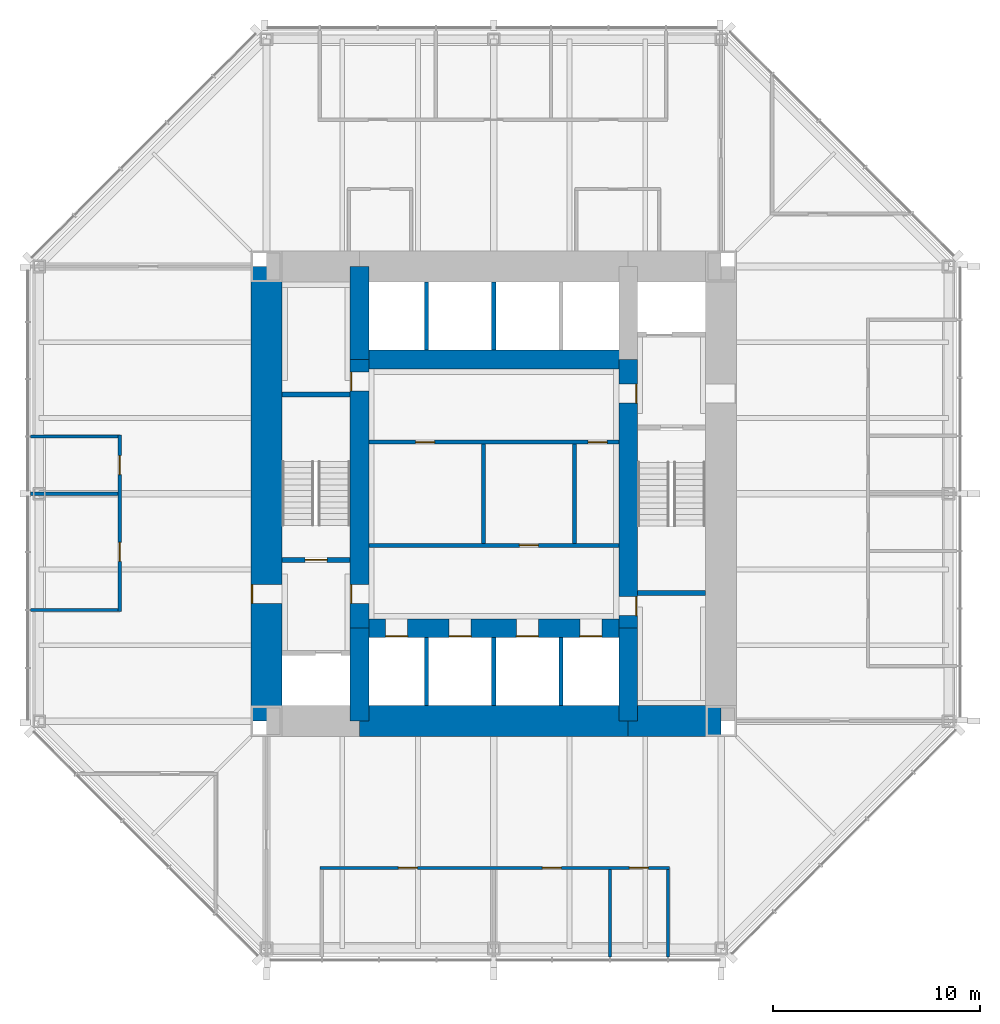
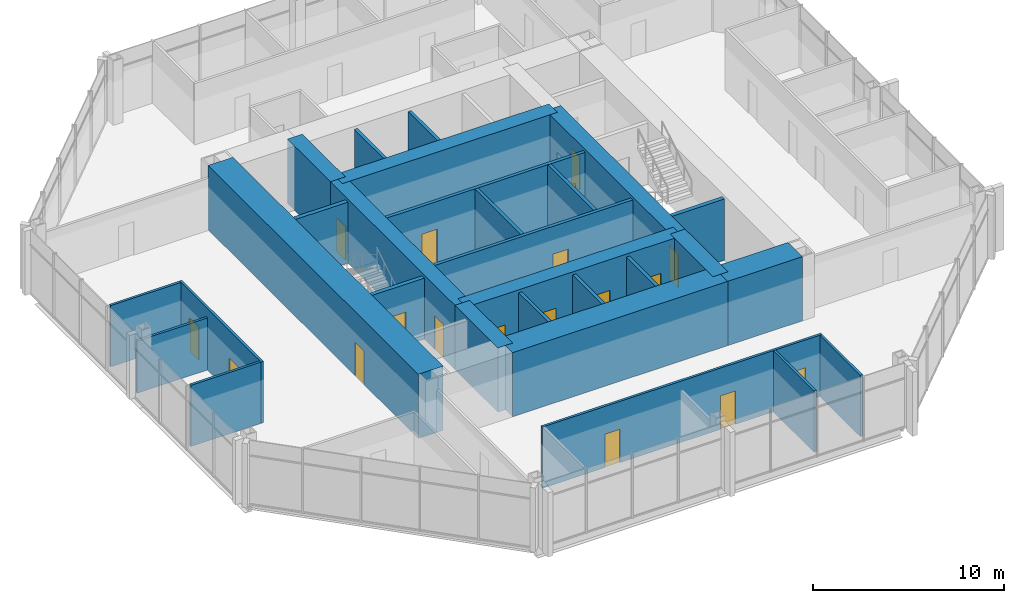
# One storey, part 9 of 12: 29 walls, 18 doors, 18 openings.
"""IFC4 building model written with IfcOpenShell, lengths in metres."""

from ifc_helpers import new_model, si_unit, direction, frame, frame_2d, origin, place, context, subcontext, project, spatial, rectangle, extrude, material, layer, layer_set, type_object, element, fill, save


model = new_model("IFC4")

# Units and contexts
model_context = context("Model", 3, precision=1e-05, world=origin(), true_north=direction((0.0, 1.0)))
body_context = subcontext(model_context, "Body", "Model", "MODEL_VIEW")
ifc_project = project(units=[si_unit("LENGTHUNIT", "METRE"), si_unit("AREAUNIT", "SQUARE_METRE"), si_unit("VOLUMEUNIT", "CUBIC_METRE"), si_unit("PLANEANGLEUNIT", "RADIAN"), si_unit("MASSUNIT", "GRAM", prefix="KILO")], contexts=[model_context])

# Site, building, storey
site_placement = place(None, origin())
site = spatial("IfcSite", under=ifc_project, at=site_placement, CompositionType="ELEMENT")
building_placement = place(site_placement, origin())
building = spatial("IfcBuilding", under=site, at=building_placement, Name="Trevanion Tower", CompositionType="ELEMENT")
storey_placement = place(building_placement, frame((0.0, 0.0, 154.10009765625)))
storey = spatial("IfcBuildingStorey", under=building, at=storey_placement, Name="L36", CompositionType="ELEMENT", Elevation=154.10009765625)

# Wall, opening, door
ifc_material_1 = material(Name="Concrete 10,000 psi", Category="concrete")
ifc_layer_1 = layer(ifc_material_1, 1.5)
ifc_layer_set_1 = layer_set([ifc_layer_1], Name="CW1 core wall 1500")
wall_type_1 = type_object("IfcWallType", Name="CW1 core wall 1500", PredefinedType="SHEAR", material=ifc_layer_set_1)
wall_1_placement = place(storey_placement, frame((-11.0, 11.0, 0.0), z_axis=(0.0, 0.0, 1.0), x_axis=(0.0, -1.0, 0.0)))
wall_1 = element("IfcWall", 1, at=wall_1_placement, inside=storey, type_object=wall_type_1, Name="CW1 CW L36", PredefinedType="SHEAR", context=body_context, shape_type="SweptSolid", body=[
    extrude(rectangle(XDim=22.0, YDim=1.5, at=frame_2d((11.0, 0.0))), origin(), (0.0, 0.0, 1.0), 4.099853515625),
])
opening_1_placement = place(wall_1_placement, frame((15.392578125, 0.0, 0.0)))
opening_1 = element("IfcOpeningElement", 2, at=opening_1_placement, cuts=wall_1, Name="Opening 36-002", PredefinedType="OPENING", context=body_context, shape_type="SweptSolid", body=[
    extrude(rectangle(XDim=0.9150390625, YDim=2.134033203125, at=frame_2d((0.45751953125, 1.06689453125))), frame((0.0, 0.760009765625, 0.0), z_axis=(0.0, -1.0, 0.0), x_axis=(1.0, 0.0, 0.0)), (0.0, 0.0, 1.0), 1.52001953125),
])
ifc_material_2 = material(Name="Hollow metal, fire rated", Category="steel")
door_type_1 = type_object("IfcDoorType", Name="D3 fire lift lobby door", OperationType="SINGLE_SWING_RIGHT", PredefinedType="DOOR", material=ifc_material_2)
door_1_placement = place(opening_1_placement, origin())
door_1 = element("IfcDoor", 3, at=door_1_placement, inside=storey, type_object=door_type_1, Name="Door 36-002", OperationType="SINGLE_SWING_RIGHT", OverallHeight=2.134033203125, OverallWidth=0.9150390625, PredefinedType="DOOR", context=body_context, shape_type="SweptSolid", body=[
    extrude(rectangle(XDim=0.9150390625, YDim=2.134033203125, at=frame_2d((0.45751953125, 1.06689453125))), frame((0.0, -0.6748046875, 0.0), z_axis=(0.0, -1.0, 0.0), x_axis=(1.0, 0.0, 0.0)), (0.0, 0.0, 1.0), 0.050048828125),
])
fill(opening_1, door_1)

# Walls
wall_2_placement = place(storey_placement, frame((-6.5, -11.0, 0.0), z_axis=(0.0, 0.0, 1.0), x_axis=(1.0, 0.0, 0.0)))
element("IfcWall", 4, at=wall_2_placement, inside=storey, type_object=wall_type_1, Name="CW1 CS2 L36", PredefinedType="SHEAR", context=body_context, shape_type="SweptSolid", body=[
    extrude(rectangle(XDim=13.0, YDim=1.5, at=frame_2d((6.5, 0.0))), origin(), (0.0, 0.0, 1.0), 4.099853515625),
])
wall_3_placement = place(storey_placement, frame((6.5, -11.0, 0.0), z_axis=(0.0, 0.0, 1.0), x_axis=(1.0, 0.0, 0.0)))
element("IfcWall", 5, at=wall_3_placement, inside=storey, type_object=wall_type_1, Name="CW1 CS3 L36", PredefinedType="SHEAR", context=body_context, shape_type="SweptSolid", body=[
    extrude(rectangle(XDim=4.5, YDim=1.5, at=frame_2d((2.25, 0.0))), origin(), (0.0, 0.0, 1.0), 4.099853515625),
])
ifc_material_3 = material(Name="Concrete 10,000 psi", Category="concrete")
ifc_layer_2 = layer(ifc_material_3, 0.89990234375)
ifc_layer_set_2 = layer_set([ifc_layer_2], Name="CW2 core wall 900")
wall_type_2 = type_object("IfcWallType", Name="CW2 core wall 900", PredefinedType="SHEAR", material=ifc_layer_set_2)
wall_4_placement = place(storey_placement, frame((6.5, -11.0, 0.0), z_axis=(0.0, 0.0, 1.0), x_axis=(0.0, 1.0, 0.0)))
element("IfcWall", 6, at=wall_4_placement, inside=storey, type_object=wall_type_2, Name="CW2 RE1 L36", PredefinedType="SHEAR", context=body_context, shape_type="SweptSolid", body=[
    extrude(rectangle(XDim=4.5, YDim=0.89990234375, at=frame_2d((2.25, 0.0))), origin(), (0.0, 0.0, 1.0), 4.099853515625),
])

# Wall, openings, doors
wall_5_placement = place(storey_placement, frame((6.5, -6.5, 0.0), z_axis=(0.0, 0.0, 1.0), x_axis=(0.0, 1.0, 0.0)))
wall_5 = element("IfcWall", 7, at=wall_5_placement, inside=storey, type_object=wall_type_2, Name="CW2 RE2 L36", PredefinedType="SHEAR", context=body_context, shape_type="SweptSolid", body=[
    extrude(rectangle(XDim=13.0, YDim=0.89990234375, at=frame_2d((6.5, 0.0))), origin(), (0.0, 0.0, 1.0), 4.099853515625),
])
opening_2_placement = place(wall_5_placement, frame((10.892578125, 0.0, 0.0)))
opening_2 = element("IfcOpeningElement", 8, at=opening_2_placement, cuts=wall_5, Name="Opening 36-003", PredefinedType="OPENING", context=body_context, shape_type="SweptSolid", body=[
    extrude(rectangle(XDim=0.9150390625, YDim=2.134033203125, at=frame_2d((0.45751953125, 1.06689453125))), frame((0.0, 0.4599609375, 0.0), z_axis=(0.0, -1.0, 0.0), x_axis=(1.0, 0.0, 0.0)), (0.0, 0.0, 1.0), 0.919921875),
])
opening_3_placement = place(wall_5_placement, frame((0.610107421875, 0.0, 0.0)))
opening_3 = element("IfcOpeningElement", 9, at=opening_3_placement, cuts=wall_5, Name="Opening 36-009", PredefinedType="OPENING", context=body_context, shape_type="SweptSolid", body=[
    extrude(rectangle(XDim=0.9150390625, YDim=2.134033203125, at=frame_2d((0.45751953125, 1.06689453125))), frame((0.0, 0.4599609375, 0.0), z_axis=(0.0, -1.0, 0.0), x_axis=(1.0, 0.0, 0.0)), (0.0, 0.0, 1.0), 0.919921875),
])
door_2_placement = place(opening_2_placement, origin())
door_2 = element("IfcDoor", 10, at=door_2_placement, inside=storey, type_object=door_type_1, Name="Door 36-003", OperationType="SINGLE_SWING_RIGHT", OverallHeight=2.134033203125, OverallWidth=0.9150390625, PredefinedType="DOOR", context=body_context, shape_type="SweptSolid", body=[
    extrude(rectangle(XDim=0.9150390625, YDim=2.134033203125, at=frame_2d((0.45751953125, 1.06689453125))), frame((0.0, -0.375, 0.0), z_axis=(0.0, -1.0, 0.0), x_axis=(1.0, 0.0, 0.0)), (0.0, 0.0, 1.0), 0.050048828125),
])
fill(opening_2, door_2)
ifc_material_4 = material(Name="Hollow metal, fire rated", Category="steel")
door_type_2 = type_object("IfcDoorType", Name="D5 service room door", OperationType="SINGLE_SWING_RIGHT", PredefinedType="DOOR", material=ifc_material_4)
door_3_placement = place(opening_3_placement, origin())
door_3 = element("IfcDoor", 11, at=door_3_placement, inside=storey, type_object=door_type_2, Name="Door 36-009", OperationType="SINGLE_SWING_RIGHT", OverallHeight=2.134033203125, OverallWidth=0.9150390625, PredefinedType="DOOR", context=body_context, shape_type="SweptSolid", body=[
    extrude(rectangle(XDim=0.9150390625, YDim=2.134033203125, at=frame_2d((0.45751953125, 1.06689453125))), frame((0.0, -0.375, 0.0), z_axis=(0.0, -1.0, 0.0), x_axis=(1.0, 0.0, 0.0)), (0.0, 0.0, 1.0), 0.050048828125),
])
fill(opening_3, door_3)

# Wall
wall_6_placement = place(storey_placement, frame((-6.5, 11.0, 0.0), z_axis=(0.0, 0.0, 1.0), x_axis=(0.0, -1.0, 0.0)))
element("IfcWall", 12, at=wall_6_placement, inside=storey, type_object=wall_type_2, Name="CW2 RW1 L36", PredefinedType="SHEAR", context=body_context, shape_type="SweptSolid", body=[
    extrude(rectangle(XDim=4.5, YDim=0.89990234375, at=frame_2d((2.25, 0.0))), origin(), (0.0, 0.0, 1.0), 4.099853515625),
])

# Wall, openings, doors
wall_7_placement = place(storey_placement, frame((-6.5, 6.5, 0.0), z_axis=(0.0, 0.0, 1.0), x_axis=(0.0, -1.0, 0.0)))
wall_7 = element("IfcWall", 13, at=wall_7_placement, inside=storey, type_object=wall_type_2, Name="CW2 RW2 L36", PredefinedType="SHEAR", context=body_context, shape_type="SweptSolid", body=[
    extrude(rectangle(XDim=13.0, YDim=0.89990234375, at=frame_2d((6.5, 0.0))), origin(), (0.0, 0.0, 1.0), 4.099853515625),
])
opening_4_placement = place(wall_7_placement, frame((10.892578125, 0.0, 0.0)))
opening_4 = element("IfcOpeningElement", 14, at=opening_4_placement, cuts=wall_7, Name="Opening 36-004", PredefinedType="OPENING", context=body_context, shape_type="SweptSolid", body=[
    extrude(rectangle(XDim=0.9150390625, YDim=2.134033203125, at=frame_2d((0.45751953125, 1.06689453125))), frame((0.0, 0.4599609375, 0.0), z_axis=(0.0, -1.0, 0.0), x_axis=(1.0, 0.0, 0.0)), (0.0, 0.0, 1.0), 0.919921875),
])
opening_5_placement = place(wall_7_placement, frame((0.610107421875, 0.0, 0.0)))
opening_5 = element("IfcOpeningElement", 15, at=opening_5_placement, cuts=wall_7, Name="Opening 36-010", PredefinedType="OPENING", context=body_context, shape_type="SweptSolid", body=[
    extrude(rectangle(XDim=0.9150390625, YDim=2.134033203125, at=frame_2d((0.45751953125, 1.06689453125))), frame((0.0, 0.4599609375, 0.0), z_axis=(0.0, -1.0, 0.0), x_axis=(1.0, 0.0, 0.0)), (0.0, 0.0, 1.0), 0.919921875),
])
door_4_placement = place(opening_4_placement, origin())
door_4 = element("IfcDoor", 16, at=door_4_placement, inside=storey, type_object=door_type_1, Name="Door 36-004", OperationType="SINGLE_SWING_RIGHT", OverallHeight=2.134033203125, OverallWidth=0.9150390625, PredefinedType="DOOR", context=body_context, shape_type="SweptSolid", body=[
    extrude(rectangle(XDim=0.9150390625, YDim=2.134033203125, at=frame_2d((0.45751953125, 1.06689453125))), frame((0.0, -0.375, 0.0), z_axis=(0.0, -1.0, 0.0), x_axis=(1.0, 0.0, 0.0)), (0.0, 0.0, 1.0), 0.050048828125),
])
fill(opening_4, door_4)
door_5_placement = place(opening_5_placement, origin())
door_5 = element("IfcDoor", 17, at=door_5_placement, inside=storey, type_object=door_type_2, Name="Door 36-010", OperationType="SINGLE_SWING_RIGHT", OverallHeight=2.134033203125, OverallWidth=0.9150390625, PredefinedType="DOOR", context=body_context, shape_type="SweptSolid", body=[
    extrude(rectangle(XDim=0.9150390625, YDim=2.134033203125, at=frame_2d((0.45751953125, 1.06689453125))), frame((0.0, -0.375, 0.0), z_axis=(0.0, -1.0, 0.0), x_axis=(1.0, 0.0, 0.0)), (0.0, 0.0, 1.0), 0.050048828125),
])
fill(opening_5, door_5)

# Walls
wall_8_placement = place(storey_placement, frame((-6.5, -6.5, 0.0), z_axis=(0.0, 0.0, 1.0), x_axis=(0.0, -1.0, 0.0)))
element("IfcWall", 18, at=wall_8_placement, inside=storey, type_object=wall_type_2, Name="CW2 RW3 L36", PredefinedType="SHEAR", context=body_context, shape_type="SweptSolid", body=[
    extrude(rectangle(XDim=4.5, YDim=0.89990234375, at=frame_2d((2.25, 0.0))), origin(), (0.0, 0.0, 1.0), 4.099853515625),
])
wall_9_placement = place(storey_placement, frame((6.5, 6.5, 0.0), z_axis=(0.0, 0.0, 1.0), x_axis=(-1.0, 0.0, 0.0)))
element("IfcWall", 19, at=wall_9_placement, inside=storey, type_object=wall_type_2, Name="CW2 RN L36", PredefinedType="SHEAR", context=body_context, shape_type="SweptSolid", body=[
    extrude(rectangle(XDim=13.0, YDim=0.89990234375, at=frame_2d((6.5, 0.0))), origin(), (0.0, 0.0, 1.0), 4.099853515625),
])

# Wall, openings, doors
wall_10_placement = place(storey_placement, frame((-6.5, -6.5, 0.0), z_axis=(0.0, 0.0, 1.0), x_axis=(1.0, 0.0, 0.0)))
wall_10 = element("IfcWall", 20, at=wall_10_placement, inside=storey, type_object=wall_type_2, Name="CW2 RS L36", PredefinedType="SHEAR", context=body_context, shape_type="SweptSolid", body=[
    extrude(rectangle(XDim=13.0, YDim=0.89990234375, at=frame_2d((6.5, 0.0))), origin(), (0.0, 0.0, 1.0), 4.099853515625),
])
opening_6_placement = place(wall_10_placement, frame((1.2666015625, 0.0, 0.0)))
opening_6 = element("IfcOpeningElement", 21, at=opening_6_placement, cuts=wall_10, Name="Opening 36-011", PredefinedType="OPENING", context=body_context, shape_type="SweptSolid", body=[
    extrude(rectangle(XDim=1.06689453125, YDim=2.134033203125, at=frame_2d((0.533447265625, 1.06689453125))), frame((0.0, 0.4599609375, 0.0), z_axis=(0.0, -1.0, 0.0), x_axis=(1.0, 0.0, 0.0)), (0.0, 0.0, 1.0), 0.919921875),
])
opening_7_placement = place(wall_10_placement, frame((4.341552734375, 0.0, 0.0)))
opening_7 = element("IfcOpeningElement", 22, at=opening_7_placement, cuts=wall_10, Name="Opening 36-012", PredefinedType="OPENING", context=body_context, shape_type="SweptSolid", body=[
    extrude(rectangle(XDim=1.06689453125, YDim=2.134033203125, at=frame_2d((0.533447265625, 1.06689453125))), frame((0.0, 0.4599609375, 0.0), z_axis=(0.0, -1.0, 0.0), x_axis=(1.0, 0.0, 0.0)), (0.0, 0.0, 1.0), 0.919921875),
])
opening_8_placement = place(wall_10_placement, frame((7.591552734375, 0.0, 0.0)))
opening_8 = element("IfcOpeningElement", 23, at=opening_8_placement, cuts=wall_10, Name="Opening 36-013", PredefinedType="OPENING", context=body_context, shape_type="SweptSolid", body=[
    extrude(rectangle(XDim=1.06689453125, YDim=2.134033203125, at=frame_2d((0.533447265625, 1.06689453125))), frame((0.0, 0.4599609375, 0.0), z_axis=(0.0, -1.0, 0.0), x_axis=(1.0, 0.0, 0.0)), (0.0, 0.0, 1.0), 0.919921875),
])
opening_9_placement = place(wall_10_placement, frame((10.66650390625, 0.0, 0.0)))
opening_9 = element("IfcOpeningElement", 24, at=opening_9_placement, cuts=wall_10, Name="Opening 36-014", PredefinedType="OPENING", context=body_context, shape_type="SweptSolid", body=[
    extrude(rectangle(XDim=1.06689453125, YDim=2.134033203125, at=frame_2d((0.533447265625, 1.06689453125))), frame((0.0, 0.4599609375, 0.0), z_axis=(0.0, -1.0, 0.0), x_axis=(1.0, 0.0, 0.0)), (0.0, 0.0, 1.0), 0.919921875),
])
ifc_material_5 = material(Name="Stainless steel, fire rated", Category="steel")
door_type_3 = type_object("IfcDoorType", Name="LD1 lift landing door", OperationType="SLIDING_TO_LEFT", PredefinedType="DOOR", material=ifc_material_5)
door_6_placement = place(opening_6_placement, origin())
door_6 = element("IfcDoor", 25, at=door_6_placement, inside=storey, type_object=door_type_3, Name="Door 36-011", OperationType="SLIDING_TO_LEFT", OverallHeight=2.134033203125, OverallWidth=1.06689453125, PredefinedType="DOOR", context=body_context, shape_type="SweptSolid", body=[
    extrude(rectangle(XDim=1.06689453125, YDim=2.134033203125, at=frame_2d((0.533447265625, 1.06689453125))), frame((0.0, -0.375, 0.0), z_axis=(0.0, -1.0, 0.0), x_axis=(1.0, 0.0, 0.0)), (0.0, 0.0, 1.0), 0.050048828125),
])
fill(opening_6, door_6)
door_7_placement = place(opening_7_placement, origin())
door_7 = element("IfcDoor", 26, at=door_7_placement, inside=storey, type_object=door_type_3, Name="Door 36-012", OperationType="SLIDING_TO_LEFT", OverallHeight=2.134033203125, OverallWidth=1.06689453125, PredefinedType="DOOR", context=body_context, shape_type="SweptSolid", body=[
    extrude(rectangle(XDim=1.06689453125, YDim=2.134033203125, at=frame_2d((0.533447265625, 1.06689453125))), frame((0.0, -0.375, 0.0), z_axis=(0.0, -1.0, 0.0), x_axis=(1.0, 0.0, 0.0)), (0.0, 0.0, 1.0), 0.050048828125),
])
fill(opening_7, door_7)
door_8_placement = place(opening_8_placement, origin())
door_8 = element("IfcDoor", 27, at=door_8_placement, inside=storey, type_object=door_type_3, Name="Door 36-013", OperationType="SLIDING_TO_LEFT", OverallHeight=2.134033203125, OverallWidth=1.06689453125, PredefinedType="DOOR", context=body_context, shape_type="SweptSolid", body=[
    extrude(rectangle(XDim=1.06689453125, YDim=2.134033203125, at=frame_2d((0.533447265625, 1.06689453125))), frame((0.0, -0.375, 0.0), z_axis=(0.0, -1.0, 0.0), x_axis=(1.0, 0.0, 0.0)), (0.0, 0.0, 1.0), 0.050048828125),
])
fill(opening_8, door_8)
door_9_placement = place(opening_9_placement, origin())
door_9 = element("IfcDoor", 28, at=door_9_placement, inside=storey, type_object=door_type_3, Name="Door 36-014", OperationType="SLIDING_TO_LEFT", OverallHeight=2.134033203125, OverallWidth=1.06689453125, PredefinedType="DOOR", context=body_context, shape_type="SweptSolid", body=[
    extrude(rectangle(XDim=1.06689453125, YDim=2.134033203125, at=frame_2d((0.533447265625, 1.06689453125))), frame((0.0, -0.375, 0.0), z_axis=(0.0, -1.0, 0.0), x_axis=(1.0, 0.0, 0.0)), (0.0, 0.0, 1.0), 0.050048828125),
])
fill(opening_9, door_9)

ifc_material_6 = material(Name="Gypsum board on steel studs", Category="steel")
ifc_layer_3 = layer(ifc_material_6, 0.14990234375)
ifc_layer_set_3 = layer_set([ifc_layer_3], Name="PT1 partition 150")
wall_type_3 = type_object("IfcWallType", Name="PT1 partition 150", PredefinedType="PARTITIONING", material=ifc_layer_set_3)
wall_11_placement = place(storey_placement, frame((-8.39794921875, -18.10009765625, 0.0), z_axis=(0.0, 0.0, 1.0), x_axis=(1.0, 0.0, 0.0)))
wall_11 = element("IfcWall", 29, at=wall_11_placement, inside=storey, type_object=wall_type_3, Name="PT1 L36 FC3F", PredefinedType="PARTITIONING", context=body_context, shape_type="SweptSolid", body=[
    extrude(rectangle(XDim=16.89404296875, YDim=0.14990234375, at=frame_2d((8.447021484375, 0.0))), origin(), (0.0, 0.0, 1.0), 3.909912109375),
])
opening_10_placement = place(wall_11_placement, frame((3.779052734375, 0.0, 0.0)))
opening_10 = element("IfcOpeningElement", 30, at=opening_10_placement, cuts=wall_11, Name="Opening 36-027", PredefinedType="OPENING", context=body_context, shape_type="SweptSolid", body=[
    extrude(rectangle(XDim=0.9150390625, YDim=2.134033203125, at=frame_2d((0.45751953125, 1.06689453125))), frame((0.0, 0.0849609375, 0.0), z_axis=(0.0, -1.0, 0.0), x_axis=(1.0, 0.0, 0.0)), (0.0, 0.0, 1.0), 0.169921875),
])
opening_11_placement = place(wall_11_placement, frame((10.74755859375, 0.0, 0.0)))
opening_11 = element("IfcOpeningElement", 31, at=opening_11_placement, cuts=wall_11, Name="Opening 36-028", PredefinedType="OPENING", context=body_context, shape_type="SweptSolid", body=[
    extrude(rectangle(XDim=0.9150390625, YDim=2.134033203125, at=frame_2d((0.45751953125, 1.06689453125))), frame((0.0, 0.0849609375, 0.0), z_axis=(0.0, -1.0, 0.0), x_axis=(1.0, 0.0, 0.0)), (0.0, 0.0, 1.0), 0.169921875),
])
opening_12_placement = place(wall_11_placement, frame((14.9580078125, 0.0, 0.0)))
opening_12 = element("IfcOpeningElement", 32, at=opening_12_placement, cuts=wall_11, Name="Opening 36-029", PredefinedType="OPENING", context=body_context, shape_type="SweptSolid", body=[
    extrude(rectangle(XDim=0.9150390625, YDim=2.134033203125, at=frame_2d((0.45751953125, 1.06689453125))), frame((0.0, 0.0849609375, 0.0), z_axis=(0.0, -1.0, 0.0), x_axis=(1.0, 0.0, 0.0)), (0.0, 0.0, 1.0), 0.169921875),
])
ifc_material_7 = material(Name="Timber veneer, solid core", Category="wood")
door_type_4 = type_object("IfcDoorType", Name="D1 office and meeting room door", OperationType="SINGLE_SWING_LEFT", PredefinedType="DOOR", material=ifc_material_7)
door_10_placement = place(opening_10_placement, origin())
door_10 = element("IfcDoor", 33, at=door_10_placement, inside=storey, type_object=door_type_4, Name="Door 36-027", OperationType="SINGLE_SWING_LEFT", OverallHeight=2.134033203125, OverallWidth=0.9150390625, PredefinedType="DOOR", context=body_context, shape_type="SweptSolid", body=[
    extrude(rectangle(XDim=0.9150390625, YDim=2.134033203125, at=frame_2d((0.45751953125, 1.06689453125))), frame((0.0, 0.02490234375, 0.0), z_axis=(0.0, -1.0, 0.0), x_axis=(1.0, 0.0, 0.0)), (0.0, 0.0, 1.0), 0.050048828125),
])
fill(opening_10, door_10)
door_11_placement = place(opening_11_placement, origin())
door_11 = element("IfcDoor", 34, at=door_11_placement, inside=storey, type_object=door_type_4, Name="Door 36-028", OperationType="SINGLE_SWING_LEFT", OverallHeight=2.134033203125, OverallWidth=0.9150390625, PredefinedType="DOOR", context=body_context, shape_type="SweptSolid", body=[
    extrude(rectangle(XDim=0.9150390625, YDim=2.134033203125, at=frame_2d((0.45751953125, 1.06689453125))), frame((0.0, 0.02490234375, 0.0), z_axis=(0.0, -1.0, 0.0), x_axis=(1.0, 0.0, 0.0)), (0.0, 0.0, 1.0), 0.050048828125),
])
fill(opening_11, door_11)
door_12_placement = place(opening_12_placement, origin())
door_12 = element("IfcDoor", 35, at=door_12_placement, inside=storey, type_object=door_type_4, Name="Door 36-029", OperationType="SINGLE_SWING_LEFT", OverallHeight=2.134033203125, OverallWidth=0.9150390625, PredefinedType="DOOR", context=body_context, shape_type="SweptSolid", body=[
    extrude(rectangle(XDim=0.9150390625, YDim=2.134033203125, at=frame_2d((0.45751953125, 1.06689453125))), frame((0.0, 0.02490234375, 0.0), z_axis=(0.0, -1.0, 0.0), x_axis=(1.0, 0.0, 0.0)), (0.0, 0.0, 1.0), 0.050048828125),
])
fill(opening_12, door_12)

# Walls
for number, where, z_axis, x_axis, name in (
    (36, (5.614013671875, -18.175048828125, 0.0), (0.0, 0.0, 1.0), (0.0, -1.0, 0.0), "PT1 L36 FC3S5"),
    (37, (8.4208984375, -18.175048828125, 0.0), (0.0, 0.0, 1.0), (0.0, -1.0, 0.0), "PT1 L36 FC3S6"),
):
    element("IfcWall", number, at=place(storey_placement, frame(where, z_axis=z_axis, x_axis=x_axis)), inside=storey, type_object=wall_type_3, Name=name, PredefinedType="PARTITIONING", context=body_context, shape_type="SweptSolid", body=[
        extrude(rectangle(XDim=4.239990234375, YDim=0.14990234375, at=frame_2d((2.1201171875, 0.0))), origin(), (0.0, 0.0, 1.0), 3.909912109375),
    ])

# Wall, openings, doors
wall_12_placement = place(storey_placement, frame((-18.10009765625, 2.85009765625, 0.0), z_axis=(0.0, 0.0, 1.0), x_axis=(0.0, -1.0, 0.0)))
wall_12 = element("IfcWall", 38, at=wall_12_placement, inside=storey, type_object=wall_type_3, Name="PT1 L36 FC2F", PredefinedType="PARTITIONING", context=body_context, shape_type="SweptSolid", body=[
    extrude(rectangle(XDim=8.5390625, YDim=0.14990234375, at=frame_2d((4.26953125, 0.0))), origin(), (0.0, 0.0, 1.0), 3.909912109375),
])
opening_13_placement = place(wall_12_placement, frame((1.0048828125, 0.0, 0.0)))
opening_13 = element("IfcOpeningElement", 39, at=opening_13_placement, cuts=wall_12, Name="Opening 36-034", PredefinedType="OPENING", context=body_context, shape_type="SweptSolid", body=[
    extrude(rectangle(XDim=0.9150390625, YDim=2.134033203125, at=frame_2d((0.45751953125, 1.06689453125))), frame((0.0, 0.0849609375, 0.0), z_axis=(0.0, -1.0, 0.0), x_axis=(1.0, 0.0, 0.0)), (0.0, 0.0, 1.0), 0.169921875),
])
opening_14_placement = place(wall_12_placement, frame((5.199462890625, 0.0, 0.0)))
opening_14 = element("IfcOpeningElement", 40, at=opening_14_placement, cuts=wall_12, Name="Opening 36-035", PredefinedType="OPENING", context=body_context, shape_type="SweptSolid", body=[
    extrude(rectangle(XDim=0.9150390625, YDim=2.134033203125, at=frame_2d((0.45751953125, 1.06689453125))), frame((0.0, 0.0849609375, 0.0), z_axis=(0.0, -1.0, 0.0), x_axis=(1.0, 0.0, 0.0)), (0.0, 0.0, 1.0), 0.169921875),
])
door_13_placement = place(opening_13_placement, origin())
door_13 = element("IfcDoor", 41, at=door_13_placement, inside=storey, type_object=door_type_4, Name="Door 36-034", OperationType="SINGLE_SWING_LEFT", OverallHeight=2.134033203125, OverallWidth=0.9150390625, PredefinedType="DOOR", context=body_context, shape_type="SweptSolid", body=[
    extrude(rectangle(XDim=0.9150390625, YDim=2.134033203125, at=frame_2d((0.45751953125, 1.06689453125))), frame((0.0, 0.02490234375, 0.0), z_axis=(0.0, -1.0, 0.0), x_axis=(1.0, 0.0, 0.0)), (0.0, 0.0, 1.0), 0.050048828125),
])
fill(opening_13, door_13)
door_14_placement = place(opening_14_placement, origin())
door_14 = element("IfcDoor", 42, at=door_14_placement, inside=storey, type_object=door_type_4, Name="Door 36-035", OperationType="SINGLE_SWING_LEFT", OverallHeight=2.134033203125, OverallWidth=0.9150390625, PredefinedType="DOOR", context=body_context, shape_type="SweptSolid", body=[
    extrude(rectangle(XDim=0.9150390625, YDim=2.134033203125, at=frame_2d((0.45751953125, 1.06689453125))), frame((0.0, 0.02490234375, 0.0), z_axis=(0.0, -1.0, 0.0), x_axis=(1.0, 0.0, 0.0)), (0.0, 0.0, 1.0), 0.050048828125),
])
fill(opening_14, door_14)

# Walls
wall_13_placement = place(storey_placement, frame((-18.175048828125, 2.77490234375, 0.0), z_axis=(0.0, 0.0, 1.0), x_axis=(-1.0, 0.0, 0.0)))
element("IfcWall", 43, at=wall_13_placement, inside=storey, type_object=wall_type_3, Name="PT1 L36 FC2S0", PredefinedType="PARTITIONING", context=body_context, shape_type="SweptSolid", body=[
    extrude(rectangle(XDim=4.239990234375, YDim=0.14990234375, at=frame_2d((2.1201171875, 0.0))), origin(), (0.0, 0.0, 1.0), 3.909912109375),
])
wall_14_placement = place(storey_placement, frame((-18.175048828125, 0.0, 0.0), z_axis=(0.0, 0.0, 1.0), x_axis=(-1.0, 0.0, 0.0)))
element("IfcWall", 44, at=wall_14_placement, inside=storey, type_object=wall_type_3, Name="PT1 L36 FC2S1", PredefinedType="PARTITIONING", context=body_context, shape_type="SweptSolid", body=[
    extrude(rectangle(XDim=4.239990234375, YDim=0.14990234375, at=frame_2d((2.1201171875, 0.0))), origin(), (0.0, 0.0, 1.0), 3.32568359375),
])
wall_15_placement = place(storey_placement, frame((-18.175048828125, -5.614013671875, 0.0), z_axis=(0.0, 0.0, 1.0), x_axis=(-1.0, 0.0, 0.0)))
element("IfcWall", 45, at=wall_15_placement, inside=storey, type_object=wall_type_3, Name="PT1 L36 FC2S3", PredefinedType="PARTITIONING", context=body_context, shape_type="SweptSolid", body=[
    extrude(rectangle(XDim=4.239990234375, YDim=0.14990234375, at=frame_2d((2.1201171875, 0.0))), origin(), (0.0, 0.0, 1.0), 3.909912109375),
])
ifc_material_8 = material(Name="Concrete masonry, grouted", Category="masonry")
ifc_layer_4 = layer(ifc_material_8, 0.199951171875)
ifc_layer_set_4 = layer_set([ifc_layer_4], Name="PT2 partition 200")
wall_type_4 = type_object("IfcWallType", Name="PT2 partition 200", PredefinedType="PARTITIONING", material=ifc_layer_set_4)
for number, where, z_axis, x_axis, name in (
    (46, (-0.5, -2.39990234375, 0.0), (0.0, 0.0, 1.0), (0.0, 1.0, 0.0), "PT2 L36 TP1"),
    (47, (3.89990234375, -2.39990234375, 0.0), (0.0, 0.0, 1.0), (0.0, 1.0, 0.0), "PT2 L36 TP2"),
):
    element("IfcWall", number, at=place(storey_placement, frame(where, z_axis=z_axis, x_axis=x_axis)), inside=storey, type_object=wall_type_4, Name=name, PredefinedType="PARTITIONING", context=body_context, shape_type="SweptSolid", body=[
        extrude(rectangle(XDim=4.7998046875, YDim=0.199951171875, at=frame_2d((2.39990234375, 0.0))), origin(), (0.0, 0.0, 1.0), 3.909912109375),
    ])

# Wall, openings, doors
ifc_material_9 = material(Name="Concrete masonry, grouted", Category="masonry")
ifc_layer_5 = layer(ifc_material_9, 0.199951171875)
ifc_layer_set_5 = layer_set([ifc_layer_5], Name="PT2 partition 200 1 HR")
wall_type_5 = type_object("IfcWallType", Name="PT2 partition 200 1 HR", PredefinedType="PARTITIONING", material=ifc_layer_set_5)
wall_16_placement = place(storey_placement, frame((-6.050048828125, 2.5, 0.0), z_axis=(0.0, 0.0, 1.0), x_axis=(1.0, 0.0, 0.0)))
wall_16 = element("IfcWall", 48, at=wall_16_placement, inside=storey, type_object=wall_type_5, Name="PT2 L36 CP1", PredefinedType="PARTITIONING", context=body_context, shape_type="SweptSolid", body=[
    extrude(rectangle(XDim=12.10009765625, YDim=0.199951171875, at=frame_2d((6.050048828125, 0.0))), origin(), (0.0, 0.0, 1.0), 3.909912109375),
])
opening_15_placement = place(wall_16_placement, frame((2.267578125, 0.0, 0.0)))
opening_15 = element("IfcOpeningElement", 49, at=opening_15_placement, cuts=wall_16, Name="Opening 36-015", PredefinedType="OPENING", context=body_context, shape_type="SweptSolid", body=[
    extrude(rectangle(XDim=0.9150390625, YDim=2.134033203125, at=frame_2d((0.45751953125, 1.06689453125))), frame((0.0, 0.10986328125, 0.0), z_axis=(0.0, -1.0, 0.0), x_axis=(1.0, 0.0, 0.0)), (0.0, 0.0, 1.0), 0.219970703125),
])
opening_16_placement = place(wall_16_placement, frame((10.617431640625, 0.0, 0.0)))
opening_16 = element("IfcOpeningElement", 50, at=opening_16_placement, cuts=wall_16, Name="Opening 36-017", PredefinedType="OPENING", context=body_context, shape_type="SweptSolid", body=[
    extrude(rectangle(XDim=0.9150390625, YDim=2.134033203125, at=frame_2d((0.45751953125, 1.06689453125))), frame((0.0, 0.10986328125, 0.0), z_axis=(0.0, -1.0, 0.0), x_axis=(1.0, 0.0, 0.0)), (0.0, 0.0, 1.0), 0.219970703125),
])
ifc_material_10 = material(Name="Plastic laminate on fire-rated core", Category="wood")
door_type_5 = type_object("IfcDoorType", Name="D12 toilet door in a one hour wall", OperationType="SINGLE_SWING_LEFT", PredefinedType="DOOR", material=ifc_material_10)
door_15_placement = place(opening_15_placement, origin())
door_15 = element("IfcDoor", 51, at=door_15_placement, inside=storey, type_object=door_type_5, Name="Door 36-015", OperationType="SINGLE_SWING_LEFT", OverallHeight=2.134033203125, OverallWidth=0.9150390625, PredefinedType="DOOR", context=body_context, shape_type="SweptSolid", body=[
    extrude(rectangle(XDim=0.9150390625, YDim=2.134033203125, at=frame_2d((0.45751953125, 1.06689453125))), frame((0.0, 0.02490234375, 0.0), z_axis=(0.0, -1.0, 0.0), x_axis=(1.0, 0.0, 0.0)), (0.0, 0.0, 1.0), 0.050048828125),
])
fill(opening_15, door_15)
door_16_placement = place(opening_16_placement, origin())
door_16 = element("IfcDoor", 52, at=door_16_placement, inside=storey, type_object=door_type_5, Name="Door 36-017", OperationType="SINGLE_SWING_LEFT", OverallHeight=2.134033203125, OverallWidth=0.9150390625, PredefinedType="DOOR", context=body_context, shape_type="SweptSolid", body=[
    extrude(rectangle(XDim=0.9150390625, YDim=2.134033203125, at=frame_2d((0.45751953125, 1.06689453125))), frame((0.0, 0.02490234375, 0.0), z_axis=(0.0, -1.0, 0.0), x_axis=(1.0, 0.0, 0.0)), (0.0, 0.0, 1.0), 0.050048828125),
])
fill(opening_16, door_16)

# Wall, opening, door
wall_17_placement = place(storey_placement, frame((6.050048828125, -2.5, 0.0), z_axis=(0.0, 0.0, 1.0), x_axis=(-1.0, 0.0, 0.0)))
wall_17 = element("IfcWall", 53, at=wall_17_placement, inside=storey, type_object=wall_type_5, Name="PT2 L36 CP2", PredefinedType="PARTITIONING", context=body_context, shape_type="SweptSolid", body=[
    extrude(rectangle(XDim=12.10009765625, YDim=0.199951171875, at=frame_2d((6.050048828125, 0.0))), origin(), (0.0, 0.0, 1.0), 3.909912109375),
])
opening_17_placement = place(wall_17_placement, frame((3.892578125, 0.0, 0.0)))
opening_17 = element("IfcOpeningElement", 54, at=opening_17_placement, cuts=wall_17, Name="Opening 36-016", PredefinedType="OPENING", context=body_context, shape_type="SweptSolid", body=[
    extrude(rectangle(XDim=0.9150390625, YDim=2.134033203125, at=frame_2d((0.45751953125, 1.06689453125))), frame((0.0, 0.10986328125, 0.0), z_axis=(0.0, -1.0, 0.0), x_axis=(1.0, 0.0, 0.0)), (0.0, 0.0, 1.0), 0.219970703125),
])
door_17_placement = place(opening_17_placement, origin())
door_17 = element("IfcDoor", 55, at=door_17_placement, inside=storey, type_object=door_type_5, Name="Door 36-016", OperationType="SINGLE_SWING_LEFT", OverallHeight=2.134033203125, OverallWidth=0.9150390625, PredefinedType="DOOR", context=body_context, shape_type="SweptSolid", body=[
    extrude(rectangle(XDim=0.9150390625, YDim=2.134033203125, at=frame_2d((0.45751953125, 1.06689453125))), frame((0.0, 0.02490234375, 0.0), z_axis=(0.0, -1.0, 0.0), x_axis=(1.0, 0.0, 0.0)), (0.0, 0.0, 1.0), 0.050048828125),
])
fill(opening_17, door_17)

# Walls
ifc_material_11 = material(Name="Concrete masonry, grouted", Category="masonry")
ifc_layer_6 = layer(ifc_material_11, 0.199951171875)
ifc_layer_set_6 = layer_set([ifc_layer_6], Name="PT2 partition 200 2 HR")
wall_type_6 = type_object("IfcWallType", Name="PT2 partition 200 2 HR", PredefinedType="PARTITIONING", material=ifc_layer_set_6)
for number, where, z_axis, x_axis, name in (
    (56, (-3.25, 6.949951171875, 0.0), (0.0, 0.0, 1.0), (0.0, 1.0, 0.0), "PT2 L36 NS0"),
    (57, (0.0, 6.949951171875, 0.0), (0.0, 0.0, 1.0), (0.0, 1.0, 0.0), "PT2 L36 NS1"),
    (58, (-3.25, -10.25, 0.0), (0.0, 0.0, 1.0), (0.0, 1.0, 0.0), "PT2 L36 SS0"),
    (59, (0.0, -10.25, 0.0), (0.0, 0.0, 1.0), (0.0, 1.0, 0.0), "PT2 L36 SS1"),
    (60, (3.25, -10.25, 0.0), (0.0, 0.0, 1.0), (0.0, 1.0, 0.0), "PT2 L36 SS2"),
):
    element("IfcWall", number, at=place(storey_placement, frame(where, z_axis=z_axis, x_axis=x_axis)), inside=storey, type_object=wall_type_6, Name=name, PredefinedType="PARTITIONING", context=body_context, shape_type="SweptSolid", body=[
        extrude(rectangle(XDim=3.300048828125, YDim=0.199951171875, at=frame_2d((1.64990234375, 0.0))), origin(), (0.0, 0.0, 1.0), 3.909912109375),
    ])
ifc_material_12 = material(Name="Reinforced masonry, fully grouted", Category="masonry")
ifc_layer_7 = layer(ifc_material_12, 0.25)
ifc_layer_set_7 = layer_set([ifc_layer_7], Name="SW1 stair shaft wall 250")
wall_type_7 = type_object("IfcWallType", Name="SW1 stair shaft wall 250", PredefinedType="SOLIDWALL", material=ifc_layer_set_7)
for number, where, z_axis, x_axis, name in (
    (61, (6.949951171875, -4.800048828125, 0.0), (0.0, 0.0, 1.0), (1.0, 0.0, 0.0), "SW1 L36 EP1"),
    (62, (-6.949951171875, 4.800048828125, 0.0), (0.0, 0.0, 1.0), (-1.0, 0.0, 0.0), "SW1 L36 WP1"),
):
    element("IfcWall", number, at=place(storey_placement, frame(where, z_axis=z_axis, x_axis=x_axis)), inside=storey, type_object=wall_type_7, Name=name, PredefinedType="SOLIDWALL", context=body_context, shape_type="SweptSolid", body=[
        extrude(rectangle(XDim=3.300048828125, YDim=0.25, at=frame_2d((1.64990234375, 0.0))), origin(), (0.0, 0.0, 1.0), 3.909912109375),
    ])

# Wall, opening, door
wall_18_placement = place(storey_placement, frame((-6.949951171875, -3.199951171875, 0.0), z_axis=(0.0, 0.0, 1.0), x_axis=(-1.0, 0.0, 0.0)))
wall_18 = element("IfcWall", 63, at=wall_18_placement, inside=storey, type_object=wall_type_7, Name="SW1 L36 WP2", PredefinedType="SOLIDWALL", context=body_context, shape_type="SweptSolid", body=[
    extrude(rectangle(XDim=3.300048828125, YDim=0.25, at=frame_2d((1.64990234375, 0.0))), origin(), (0.0, 0.0, 1.0), 3.909912109375),
])
opening_18_placement = place(wall_18_placement, frame((1.116455078125, 0.0, 0.0)))
opening_18 = element("IfcOpeningElement", 64, at=opening_18_placement, cuts=wall_18, Name="Opening 36-006", PredefinedType="OPENING", context=body_context, shape_type="SweptSolid", body=[
    extrude(rectangle(XDim=1.06689453125, YDim=2.134033203125, at=frame_2d((0.533447265625, 1.06689453125))), frame((0.0, 0.135009765625, 0.0), z_axis=(0.0, -1.0, 0.0), x_axis=(1.0, 0.0, 0.0)), (0.0, 0.0, 1.0), 0.27001953125),
])
ifc_material_13 = material(Name="Hollow metal, fire rated", Category="steel")
door_type_6 = type_object("IfcDoorType", Name="D2 exit stair door", OperationType="SINGLE_SWING_LEFT", PredefinedType="DOOR", material=ifc_material_13)
door_18_placement = place(opening_18_placement, origin())
door_18 = element("IfcDoor", 65, at=door_18_placement, inside=storey, type_object=door_type_6, Name="Door 36-006", OperationType="SINGLE_SWING_LEFT", OverallHeight=2.134033203125, OverallWidth=1.06689453125, PredefinedType="DOOR", context=body_context, shape_type="SweptSolid", body=[
    extrude(rectangle(XDim=1.06689453125, YDim=2.134033203125, at=frame_2d((0.533447265625, 1.06689453125))), frame((0.0, 0.02490234375, 0.0), z_axis=(0.0, -1.0, 0.0), x_axis=(1.0, 0.0, 0.0)), (0.0, 0.0, 1.0), 0.050048828125),
])
fill(opening_18, door_18)

save(model, "model.ifc")
